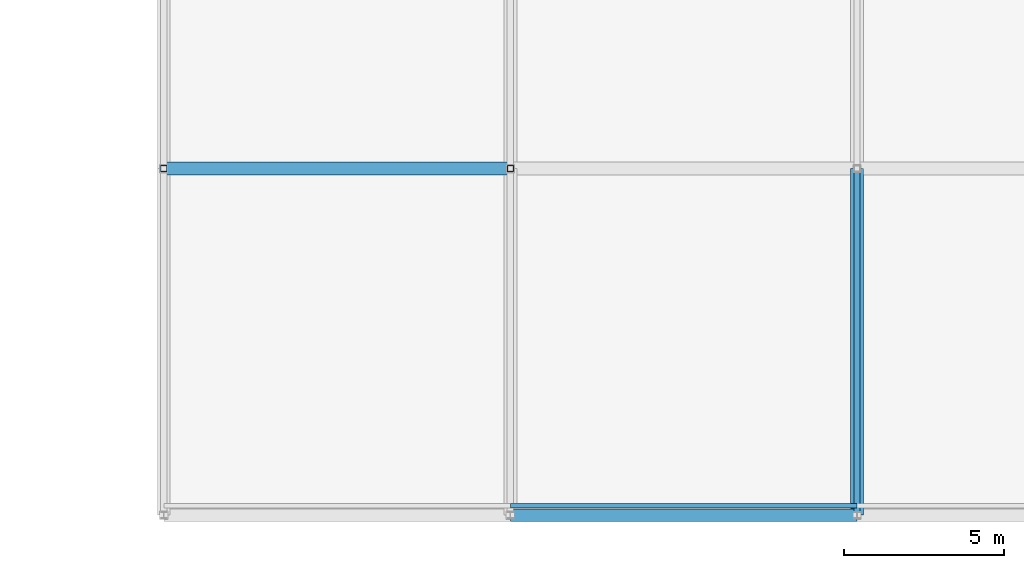
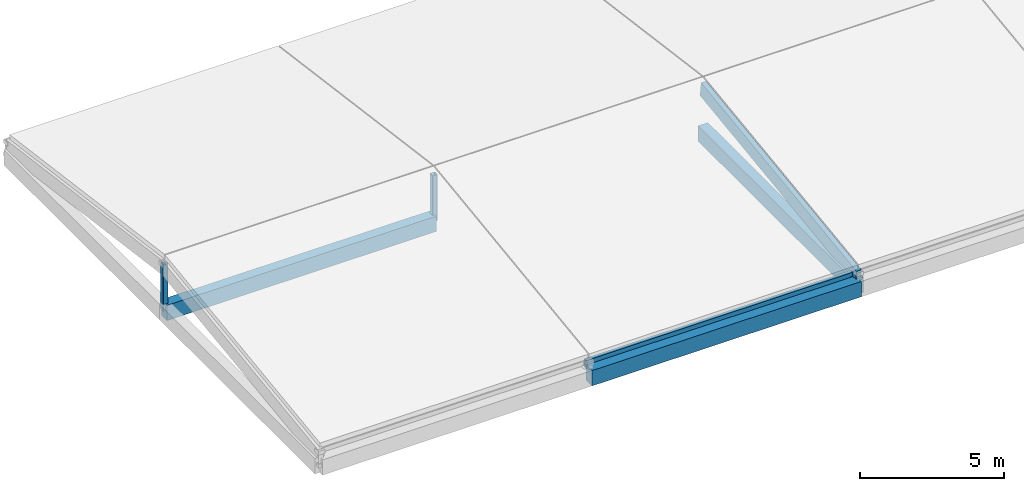
# One storey, part 49 of 112: 4 members, 3 beams.
"""IFC4 building model written with IfcOpenShell, lengths in metres."""

import ifcopenshell
import ifcopenshell.guid

model = None  # the IFC model being written
_history = None  # IfcOwnerHistory: only IFC2X3 demands one
_inside = {}  # id of a spatial element -> (the spatial element, [elements in it])
_under = {}  # id of a project, library or spatial element -> (it, [spatial elements below it])
_declared = {}  # id of a project -> (the project, [libraries it declares])
_typed = {}  # id of a type object -> (the type object, [elements of that type])
_made_of = {}  # id of a material, layer set ... -> (it, [elements and type objects made of it])


def new_model(schema):
    """Start an empty IFC model of exactly this schema.

    Asked for "IFC4X3", IfcOpenShell would pick the latest addendum, in which some entities
    have other attributes; the version numbers below select the first issue.
    IFC2X3 requires an IfcOwnerHistory on every rooted entity: one is made here for all.
    """
    global model, _history
    if schema == "IFC4X3":
        model = ifcopenshell.file(schema_version=(4, 3, 0, 0))
    else:
        model = ifcopenshell.file(schema=schema)
    _inside.clear()
    _under.clear()
    _declared.clear()
    _typed.clear()
    _made_of.clear()
    _history = None
    if model.schema == "IFC2X3":
        org = make("IfcOrganization", Name="unknown")
        user = make(
            "IfcPersonAndOrganization",
            ThePerson=make("IfcPerson", FamilyName="unknown"),
            TheOrganization=org,
        )
        app = make(
            "IfcApplication",
            ApplicationDeveloper=org,
            Version="unknown",
            ApplicationFullName="unknown",
            ApplicationIdentifier="unknown",
        )
        _history = make(
            "IfcOwnerHistory",
            OwningUser=user,
            OwningApplication=app,
            ChangeAction="ADDED",
            CreationDate=0,
        )
    return model


def make(cls, **values):
    """One entity of the class cls with the attributes given. An attribute that is None is left unset."""
    return model.create_entity(
        cls, **{name: value for name, value in values.items() if value is not None}
    )


def rooted(cls, **values):
    """An entity with a GlobalId (a new one), such as an element, a storey or a relation."""
    return make(cls, GlobalId=ifcopenshell.guid.new(), OwnerHistory=_history, **values)


def si_unit(unit_type, name, prefix=None):
    """IfcSIUnit, for example si_unit("LENGTHUNIT", "METRE", prefix="MILLI")."""
    return make("IfcSIUnit", UnitType=unit_type, Prefix=prefix, Name=name)


def assignment(units):
    """IfcUnitAssignment: the units of a project."""
    return None if units is None else make("IfcUnitAssignment", Units=units)


def point(xyz):
    """IfcCartesianPoint."""
    return None if xyz is None else make("IfcCartesianPoint", Coordinates=xyz)


def direction(xyz):
    """IfcDirection."""
    return None if xyz is None else make("IfcDirection", DirectionRatios=xyz)


def frame(location, z_axis=None, x_axis=None):
    """IfcAxis2Placement3D, a coordinate frame: its origin and axes. An axis left out is left unset."""
    return make(
        "IfcAxis2Placement3D",
        Location=point(location),
        Axis=direction(z_axis),
        RefDirection=direction(x_axis),
    )


def frame_2d(location, x_axis=None):
    """IfcAxis2Placement2D, a coordinate frame in the plane: its origin and x axis."""
    return make(
        "IfcAxis2Placement2D", Location=point(location), RefDirection=direction(x_axis)
    )


def origin():
    """The frame at (0, 0, 0) with its axes left unset."""
    return frame((0.0, 0.0, 0.0))


def origin_2d():
    """The frame at (0, 0) in the plane with its x axis left unset."""
    return frame_2d((0.0, 0.0))


def place(relative_to, where):
    """IfcLocalPlacement: puts the frame where relative to a parent placement (None: the world)."""
    return make(
        "IfcLocalPlacement", PlacementRelTo=relative_to, RelativePlacement=where
    )


def context(
    kind, dimensions, precision=None, world=None, true_north=None, identifier=None
):
    """IfcGeometricRepresentationContext, for example the 3D "Model" context."""
    return make(
        "IfcGeometricRepresentationContext",
        ContextIdentifier=identifier,
        ContextType=kind,
        CoordinateSpaceDimension=dimensions,
        Precision=precision,
        WorldCoordinateSystem=world,
        TrueNorth=true_north,
    )


def subcontext(parent, identifier, kind, view, scale=None):
    """IfcGeometricRepresentationSubContext, for example "Body" below "Model"."""
    return make(
        "IfcGeometricRepresentationSubContext",
        ContextIdentifier=identifier,
        ContextType=kind,
        ParentContext=parent,
        TargetScale=scale,
        TargetView=view,
    )


def project(units=None, contexts=None):
    """IfcProject with its units and contexts."""
    return rooted(
        "IfcProject",
        Name="project",
        RepresentationContexts=contexts,
        UnitsInContext=assignment(units),
    )


def spatial(cls, under=None, at=None, **own):
    """A site, building, storey or space (cls), placed at a placement, below another one or the project."""
    s = rooted(cls, ObjectPlacement=at, **own)
    if under is not None:
        _under.setdefault(under.id(), (under, []))[1].append(s)
    return s


def profile(cls, at=None, kind="AREA", **sizes):
    """A parametric profile (cls). Its sizes go by their IFC names, for example OverallWidth=200.0."""
    return make(cls, ProfileType=kind, Position=at, **sizes)


def rectangle(**sizes):
    """IfcRectangleProfileDef."""
    return profile("IfcRectangleProfileDef", **sizes)


def hollow_rectangle(**sizes):
    """IfcRectangleHollowProfileDef."""
    return profile("IfcRectangleHollowProfileDef", **sizes)


def extrude(swept, where, along, depth):
    """IfcExtrudedAreaSolid: the profile swept, set in the frame where, extruded along a direction by depth."""
    return make(
        "IfcExtrudedAreaSolid",
        SweptArea=swept,
        Position=where,
        ExtrudedDirection=direction(along),
        Depth=depth,
    )


def shape(context_of_items, identifier, shape_type, items):
    """IfcShapeRepresentation: the items that make up one representation, for example the "Body"."""
    return make(
        "IfcShapeRepresentation",
        ContextOfItems=context_of_items,
        RepresentationIdentifier=identifier,
        RepresentationType=shape_type,
        Items=items,
    )


def material(Name=None, Category=None):
    """IfcMaterial."""
    return make("IfcMaterial", Name=Name, Category=Category)


def material_profile(
    of_material, cross_section, Name=None, Category=None, Priority=None
):
    """IfcMaterialProfile: a cross section and its material."""
    return make(
        "IfcMaterialProfile",
        Name=Name,
        Material=of_material,
        Profile=cross_section,
        Priority=Priority,
        Category=Category,
    )


def profile_set(profiles, Name=None, composite=None):
    """IfcMaterialProfileSet."""
    return make(
        "IfcMaterialProfileSet",
        Name=Name,
        MaterialProfiles=profiles,
        CompositeProfile=composite,
    )


def made_of(thing, what):
    """Note that an element or type object is made of a material, layer set ...; save() writes the relation."""
    if what is not None:
        _made_of.setdefault(what.id(), (what, []))[1].append(thing)
    return thing


def type_object(cls, material=None, **own):
    """A type object (cls), such as IfcWallType, which elements share."""
    return made_of(rooted(cls, **own), material)


def element(
    cls,
    number,
    at=None,
    inside=None,
    cuts=None,
    type_object=None,
    material=None,
    context=None,
    identifier="Body",
    shape_type=None,
    held_by="IfcProductDefinitionShape",
    body=None,
    shapes=None,
    **own,
):
    """One element of the class cls, such as IfcWall. Its Tag is "e" and its number.

    at: its placement. inside: the storey or other place that contains it. cuts: it is an
    opening in that element (IfcRelVoidsElement). A single representation is given by context,
    identifier, shape_type and body (its items); several are given by shapes. held_by: the class
    of the entity that holds the representations. save() writes the other relations.
    """
    e = rooted(cls, Tag="e%d" % number, ObjectPlacement=at, **own)
    if body is not None:
        shapes = [shape(context, identifier, shape_type, body)]
    if shapes is not None:
        e.Representation = make(held_by, Representations=shapes)
    if inside is not None:
        _inside.setdefault(inside.id(), (inside, []))[1].append(e)
    if cuts is not None:
        rooted(
            "IfcRelVoidsElement", RelatingBuildingElement=cuts, RelatedOpeningElement=e
        )
    if type_object is not None:
        _typed.setdefault(type_object.id(), (type_object, []))[1].append(e)
    return made_of(e, material)


def aggregate(whole, parts):
    """IfcRelAggregates: a whole, such as a stair, and the parts it consists of."""
    return rooted("IfcRelAggregates", RelatingObject=whole, RelatedObjects=parts)


def save(model, path):
    """Write the relations noted so far, then the file.

    IfcRelAggregates (storeys below a building ...), IfcRelContainedInSpatialStructure (elements
    in a storey), IfcRelDefinesByType, IfcRelAssociatesMaterial and IfcRelDeclares: one each for
    every whole, place, type object, material and project.
    """
    for whole, parts in _under.values():
        aggregate(whole, parts)
    for where, things in _inside.values():
        rooted(
            "IfcRelContainedInSpatialStructure",
            RelatedElements=things,
            RelatingStructure=where,
        )
    for kind, things in _typed.values():
        rooted("IfcRelDefinesByType", RelatedObjects=things, RelatingType=kind)
    for what, things in _made_of.values():
        rooted("IfcRelAssociatesMaterial", RelatedObjects=things, RelatingMaterial=what)
    for by, libraries in _declared.values():
        rooted("IfcRelDeclares", RelatingContext=by, RelatedDefinitions=libraries)
    model.write(path)


model = new_model("IFC4")

# Units and contexts
model_context = context("Model", 3, precision=1e-05, world=origin(), true_north=direction((0.0, 1.0)))
body_context = subcontext(model_context, "Body", "Model", "MODEL_VIEW")
ifc_project = project(units=[si_unit("LENGTHUNIT", "METRE"), si_unit("AREAUNIT", "SQUARE_METRE"), si_unit("VOLUMEUNIT", "CUBIC_METRE"), si_unit("PLANEANGLEUNIT", "RADIAN"), si_unit("MASSUNIT", "GRAM", prefix="KILO")], contexts=[model_context])

# Site, building, storey
site_placement = place(None, origin())
site = spatial("IfcSite", under=ifc_project, at=site_placement, CompositionType="ELEMENT")
building_placement = place(site_placement, origin())
building = spatial("IfcBuilding", under=site, at=building_placement, Name="Zwinboog Wholesale Market", CompositionType="ELEMENT")
storey_placement = place(building_placement, frame((0.0, 0.0, 19.080078125)))
storey = spatial("IfcBuildingStorey", under=building, at=storey_placement, Name="Roof", CompositionType="ELEMENT", Elevation=19.080078125)

# Beams
ifc_material_1 = material(Name="Precast concrete C45/55", Category="concrete")
ifc_material_profile_1 = material_profile(ifc_material_1, rectangle(XDim=0.39990234375, YDim=0.64990234375, at=origin_2d()), Name="PC 400x650")
ifc_profile_set_1 = profile_set([ifc_material_profile_1], Name="Precast concrete C45/55")
beam_type = type_object("IfcBeamType", Name="BT-05", PredefinedType="BEAM", material=ifc_profile_set_1)
beam_placement = place(storey_placement, frame((129.60009765625, 10.800048828125, -0.3251953125), z_axis=(1.0, 0.0, 0.0), x_axis=(0.0, 1.0, 0.0)))
element("IfcBeam", 1, at=beam_placement, inside=storey, type_object=beam_type, Name="BG-05 (BMG-Roof-1296-0108-1288)", PredefinedType="BEAM", context=body_context, shape_type="SweptSolid", body=[
    extrude(rectangle(XDim=0.39990234375, YDim=0.64990234375, at=origin_2d()), origin(), (0.0, 0.0, 1.0), 10.7998046875),
])
for number, where, z_axis, x_axis, name in (
    (2, (140.39990234375, 0.0, -0.3251953125), (1.0, 0.0, 0.0), (0.0, 1.0, 0.0), "BG-05 (BMG-Roof-1404-0000-1290)"),
    (3, (151.199951171875, 0.0, -0.3251953125), (0.0, 1.0, 0.0), (-1.0, 0.0, 0.0), "BG-05 (BMG-Roof-1512-0000-1307)"),
):
    element("IfcBeam", number, at=place(storey_placement, frame(where, z_axis=z_axis, x_axis=x_axis)), inside=storey, type_object=beam_type, Name=name, PredefinedType="BEAM", context=body_context, shape_type="SweptSolid", body=[
        extrude(rectangle(XDim=0.39990234375, YDim=0.64990234375, at=origin_2d()), origin(), (0.0, 0.0, 1.0), 10.800048828125),
    ])

# Members
ifc_material_2 = material(Name="Steel S355", Category="steel")
ifc_material_profile_2 = material_profile(ifc_material_2, hollow_rectangle(XDim=0.199951171875, YDim=0.199951171875, WallThickness=0.010009765625, InnerFilletRadius=0.010009765625, OuterFilletRadius=0.02001953125, at=origin_2d()), Name="SHS 200x200x10")
ifc_profile_set_2 = profile_set([ifc_material_profile_2], Name="Steel S355")
member_type_1 = type_object("IfcMemberType", Name="MT-04", PredefinedType="BRACE", material=ifc_profile_set_2)
for number, where, z_axis, x_axis, name in (
    (4, (129.60009765625, 10.800048828125, -0.280029296875), (0.0, 0.0, 1.0), (1.0, 0.0, 0.0), "DB-01 (MEM-Roof-0901)"),
    (5, (140.39990234375, 10.800048828125, -0.280029296875), (0.0, 0.0, 1.0), (1.0, 0.0, 0.0), "DB-01 (MEM-Roof-0907)"),
):
    element("IfcMember", number, at=place(storey_placement, frame(where, z_axis=z_axis, x_axis=x_axis)), inside=storey, type_object=member_type_1, Name=name, PredefinedType="BRACE", context=body_context, shape_type="SweptSolid", body=[
        extrude(hollow_rectangle(XDim=0.199951171875, YDim=0.199951171875, WallThickness=0.010009765625, InnerFilletRadius=0.010009765625, OuterFilletRadius=0.02001953125, at=origin_2d()), origin(), (0.0, 0.0, 1.0), 1.949951171875),
    ])
ifc_material_3 = material(Name="Glulam GL28h", Category="wood")
ifc_material_profile_3 = material_profile(ifc_material_3, rectangle(XDim=0.199951171875, YDim=0.60009765625, at=origin_2d()), Name="GL28h 200x600")
ifc_profile_set_3 = profile_set([ifc_material_profile_3], Name="Glulam GL28h")
member_type_2 = type_object("IfcMemberType", Name="MT-11", PredefinedType="RAFTER", material=ifc_profile_set_3)
member_1_placement = place(storey_placement, frame((151.199951171875, 0.0, 0.06982421875), z_axis=(0.0, 0.99110498434, 0.133082342993), x_axis=(-1.0, 0.0, 0.0)))
element("IfcMember", 6, at=member_1_placement, inside=storey, type_object=member_type_2, Name="GR-03 (MEM-Roof-0914)", PredefinedType="RAFTER", context=body_context, shape_type="SweptSolid", body=[
    extrude(rectangle(XDim=0.199951171875, YDim=0.60009765625, at=origin_2d()), origin(), (0.0, 0.0, 1.0), 10.89697265625),
])
ifc_material_profile_4 = material_profile(ifc_material_3, rectangle(XDim=0.139892578125, YDim=0.280029296875, at=origin_2d()), Name="GL28h 140x280")
ifc_profile_set_4 = profile_set([ifc_material_profile_4], Name="Glulam GL28h")
member_type_3 = type_object("IfcMemberType", Name="MT-13", PredefinedType="PURLIN", material=ifc_profile_set_4)
member_2_placement = place(storey_placement, frame((140.39990234375, 0.300048828125, 0.02001953125), z_axis=(1.0, 0.0, 0.0), x_axis=(0.0, 1.0, 0.0)))
element("IfcMember", 7, at=member_2_placement, inside=storey, type_object=member_type_3, Name="GP-02 (MEM-Roof-0910)", PredefinedType="PURLIN", context=body_context, shape_type="SweptSolid", body=[
    extrude(rectangle(XDim=0.139892578125, YDim=0.280029296875, at=origin_2d()), origin(), (0.0, 0.0, 1.0), 10.800048828125),
])

save(model, "model.ifc")
